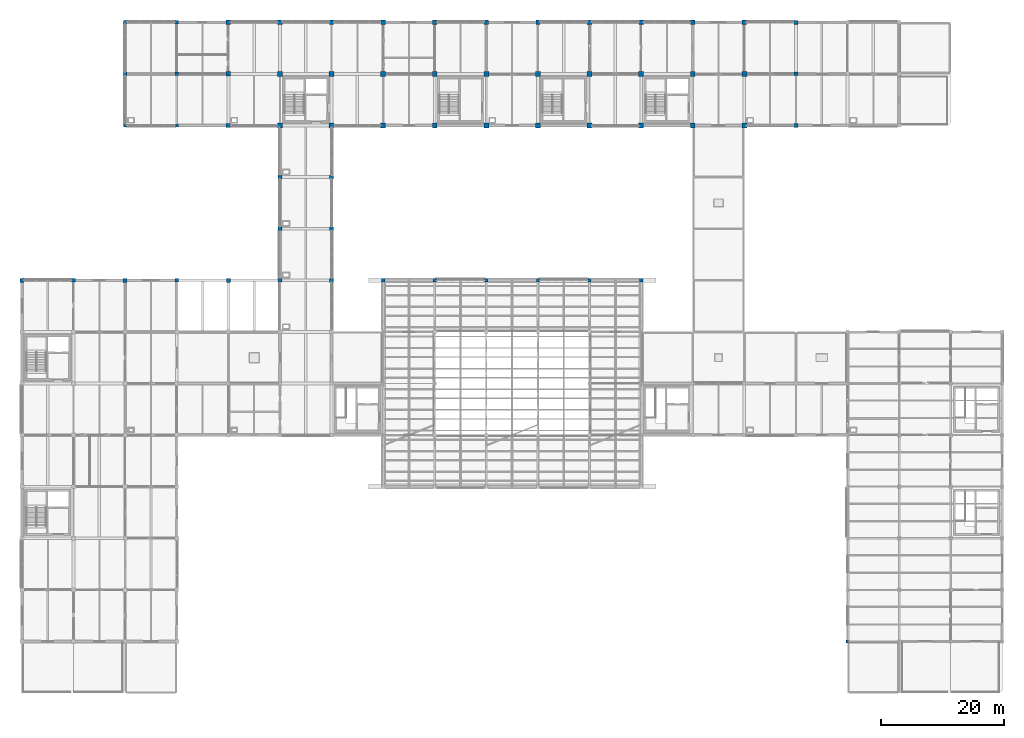
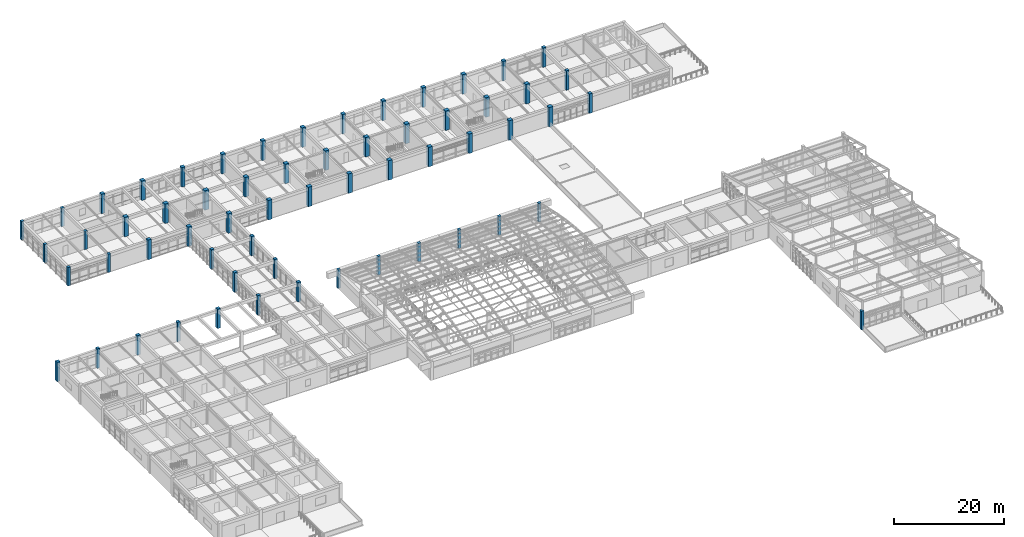
# One storey, part 5 of 74: 60 columns.
"""IFC4 building model written with IfcOpenShell, lengths in metres."""

from ifc_helpers import new_model, si_unit, direction, frame, origin, origin_2d, place, context, subcontext, project, spatial, rectangle, extrude, material, material_profile, profile_set, type_object, element, save


model = new_model("IFC4")

# Units and contexts
model_context = context("Model", 3, precision=1e-05, world=origin(), true_north=direction((0.0, 1.0)))
body_context = subcontext(model_context, "Body", "Model", "MODEL_VIEW")
ifc_project = project(units=[si_unit("LENGTHUNIT", "METRE"), si_unit("AREAUNIT", "SQUARE_METRE"), si_unit("VOLUMEUNIT", "CUBIC_METRE"), si_unit("PLANEANGLEUNIT", "RADIAN"), si_unit("MASSUNIT", "GRAM", prefix="KILO")], contexts=[model_context])

# Site, building, storey
site_placement = place(None, origin())
site = spatial("IfcSite", under=ifc_project, at=site_placement, CompositionType="ELEMENT")
building_placement = place(site_placement, origin())
building = spatial("IfcBuilding", under=site, at=building_placement, Name="Porcellanite Civic Hall", CompositionType="ELEMENT")
storey_placement = place(building_placement, frame((0.0, 0.0, 14.760009765625)))
storey = spatial("IfcBuildingStorey", under=building, at=storey_placement, Name="L03", CompositionType="ELEMENT", Elevation=14.760009765625)

# Columns
ifc_material_1 = material(Name="Concrete N50 (50 MPa)", Category="concrete")
ifc_material_profile_1 = material_profile(ifc_material_1, rectangle(XDim=0.550048828125, YDim=0.550048828125, at=origin_2d()), Name="RC-550x550")
ifc_profile_set_1 = profile_set([ifc_material_profile_1], Name="Concrete N50 (50 MPa)")
column_type_1 = type_object("IfcColumnType", Name="COL-550", PredefinedType="COLUMN", material=ifc_profile_set_1)
for number, where, z_axis, x_axis, name in (
    (1, (25.199951171875, 100.800048828125, 0.0), (0.0, 0.0, 1.0), (1.0, 0.0, 0.0), "Column L03 3-12"),
    (2, (25.199951171875, 109.199951171875, 0.0), (0.0, 0.0, 1.0), (1.0, 0.0, 0.0), "Column L03 3-13"),
    (3, (25.199951171875, 117.60009765625, 0.0), (0.0, 0.0, 1.0), (1.0, 0.0, 0.0), "Column L03 3-14"),
    (4, (33.60009765625, 100.800048828125, 0.0), (0.0, 0.0, 1.0), (1.0, 0.0, 0.0), "Column L03 4-12"),
    (5, (33.60009765625, 109.199951171875, 0.0), (0.0, 0.0, 1.0), (1.0, 0.0, 0.0), "Column L03 4-13"),
    (6, (33.60009765625, 117.60009765625, 0.0), (0.0, 0.0, 1.0), (1.0, 0.0, 0.0), "Column L03 4-14"),
):
    element("IfcColumn", number, at=place(storey_placement, frame(where, z_axis=z_axis, x_axis=x_axis)), inside=storey, type_object=column_type_1, Name=name, PredefinedType="COLUMN", context=body_context, shape_type="SweptSolid", body=[
        extrude(rectangle(XDim=0.550048828125, YDim=0.550048828125, at=origin_2d()), origin(), (0.0, 0.0, 1.0), 4.070068359375),
    ])
for number, where, z_axis, x_axis, name in (
    (7, (67.199951171875, 75.60009765625, 0.0), (0.0, 0.0, 1.0), (1.0, 0.0, 0.0), "Column L03 8-9"),
    (8, (75.60009765625, 75.60009765625, 0.0), (0.0, 0.0, 1.0), (1.0, 0.0, 0.0), "Column L03 9-9"),
    (9, (84.0, 75.60009765625, 0.0), (0.0, 0.0, 1.0), (1.0, 0.0, 0.0), "Column L03 10-9"),
    (10, (92.39990234375, 75.60009765625, 0.0), (0.0, 0.0, 1.0), (1.0, 0.0, 0.0), "Column L03 11-9"),
    (11, (100.800048828125, 75.60009765625, 0.0), (0.0, 0.0, 1.0), (1.0, 0.0, 0.0), "Column L03 12-9"),
    (12, (109.199951171875, 75.60009765625, 0.0), (0.0, 0.0, 1.0), (1.0, 0.0, 0.0), "Column L03 13-9"),
):
    element("IfcColumn", number, at=place(storey_placement, frame(where, z_axis=z_axis, x_axis=x_axis)), inside=storey, type_object=column_type_1, Name=name, PredefinedType="COLUMN", context=body_context, shape_type="SweptSolid", body=[
        extrude(rectangle(XDim=0.550048828125, YDim=0.550048828125, at=origin_2d()), origin(), (0.0, 0.0, 1.0), 4.139892578125),
    ])
column_placement = place(storey_placement, frame((142.800048828125, 16.800048828125, 0.0), z_axis=(0.0, 0.0, 1.0), x_axis=(1.0, 0.0, 0.0)))
element("IfcColumn", 13, at=column_placement, inside=storey, type_object=column_type_1, Name="Column L03 17-2", PredefinedType="COLUMN", context=body_context, shape_type="SweptSolid", body=[
    extrude(rectangle(XDim=0.550048828125, YDim=0.550048828125, at=origin_2d()), origin(), (0.0, 0.0, 1.0), 4.169921875),
])
ifc_material_2 = material(Name="Concrete N50 (50 MPa)", Category="concrete")
ifc_material_profile_2 = material_profile(ifc_material_2, rectangle(XDim=0.60009765625, YDim=0.60009765625, at=origin_2d()), Name="RC-600x600")
ifc_profile_set_2 = profile_set([ifc_material_profile_2], Name="Concrete N50 (50 MPa)")
column_type_2 = type_object("IfcColumnType", Name="COL-600", PredefinedType="COLUMN", material=ifc_profile_set_2)
for number, where, z_axis, x_axis, name in (
    (14, (16.800048828125, 75.60009765625, 0.0), (0.0, 0.0, 1.0), (1.0, 0.0, 0.0), "Column L03 2-9"),
    (15, (33.60009765625, 75.60009765625, 0.0), (0.0, 0.0, 1.0), (1.0, 0.0, 0.0), "Column L03 4-9"),
    (16, (50.39990234375, 75.60009765625, 0.0), (0.0, 0.0, 1.0), (1.0, 0.0, 0.0), "Column L03 6-9"),
    (17, (50.39990234375, 92.39990234375, 0.0), (0.0, 0.0, 1.0), (1.0, 0.0, 0.0), "Column L03 6-11"),
    (18, (58.800048828125, 84.0, 0.0), (0.0, 0.0, 1.0), (1.0, 0.0, 0.0), "Column L03 7-10"),
    (19, (134.39990234375, 109.199951171875, 0.0), (0.0, 0.0, 1.0), (1.0, 0.0, 0.0), "Column L03 16-13"),
):
    element("IfcColumn", number, at=place(storey_placement, frame(where, z_axis=z_axis, x_axis=x_axis)), inside=storey, type_object=column_type_2, Name=name, PredefinedType="COLUMN", context=body_context, shape_type="SweptSolid", body=[
        extrude(rectangle(XDim=0.60009765625, YDim=0.60009765625, at=origin_2d()), origin(), (0.0, 0.0, 1.0), 4.320068359375),
    ])
ifc_material_3 = material(Name="Concrete N50 (50 MPa)", Category="concrete")
ifc_material_profile_3 = material_profile(ifc_material_3, rectangle(XDim=0.64990234375, YDim=0.64990234375, at=origin_2d()), Name="RC-650x650")
ifc_profile_set_3 = profile_set([ifc_material_profile_3], Name="Concrete N50 (50 MPa)")
column_type_3 = type_object("IfcColumnType", Name="COL-650", PredefinedType="COLUMN", material=ifc_profile_set_3)
for number, where, z_axis, x_axis, name in (
    (20, (8.39990234375, 75.60009765625, 0.0), (0.0, 0.0, 1.0), (1.0, 0.0, 0.0), "Column L03 1-9"),
    (21, (25.199951171875, 75.60009765625, 0.0), (0.0, 0.0, 1.0), (1.0, 0.0, 0.0), "Column L03 3-9"),
    (22, (42.0, 75.60009765625, 0.0), (0.0, 0.0, 1.0), (1.0, 0.0, 0.0), "Column L03 5-9"),
    (23, (50.39990234375, 84.0, 0.0), (0.0, 0.0, 1.0), (1.0, 0.0, 0.0), "Column L03 6-10"),
    (24, (58.800048828125, 75.60009765625, 0.0), (0.0, 0.0, 1.0), (1.0, 0.0, 0.0), "Column L03 7-9"),
    (25, (58.800048828125, 92.39990234375, 0.0), (0.0, 0.0, 1.0), (1.0, 0.0, 0.0), "Column L03 7-11"),
    (26, (134.39990234375, 100.800048828125, 0.0), (0.0, 0.0, 1.0), (1.0, 0.0, 0.0), "Column L03 16-12"),
    (27, (134.39990234375, 117.60009765625, 0.0), (0.0, 0.0, 1.0), (1.0, 0.0, 0.0), "Column L03 16-14"),
):
    element("IfcColumn", number, at=place(storey_placement, frame(where, z_axis=z_axis, x_axis=x_axis)), inside=storey, type_object=column_type_3, Name=name, PredefinedType="COLUMN", context=body_context, shape_type="SweptSolid", body=[
        extrude(rectangle(XDim=0.64990234375, YDim=0.64990234375, at=origin_2d()), origin(), (0.0, 0.0, 1.0), 4.320068359375),
    ])
ifc_material_4 = material(Name="Concrete N50 (50 MPa)", Category="concrete")
ifc_material_profile_4 = material_profile(ifc_material_4, rectangle(XDim=0.699951171875, YDim=0.699951171875, at=origin_2d()), Name="RC-700x700")
ifc_profile_set_4 = profile_set([ifc_material_profile_4], Name="Concrete N50 (50 MPa)")
column_type_4 = type_object("IfcColumnType", Name="COL-700", PredefinedType="COLUMN", material=ifc_profile_set_4)
for number, where, z_axis, x_axis, name in (
    (28, (42.0, 100.800048828125, 0.0), (0.0, 0.0, 1.0), (1.0, 0.0, 0.0), "Column L03 5-12"),
    (29, (42.0, 117.60009765625, 0.0), (0.0, 0.0, 1.0), (1.0, 0.0, 0.0), "Column L03 5-14"),
    (30, (58.800048828125, 117.60009765625, 0.0), (0.0, 0.0, 1.0), (1.0, 0.0, 0.0), "Column L03 7-14"),
    (31, (75.60009765625, 117.60009765625, 0.0), (0.0, 0.0, 1.0), (1.0, 0.0, 0.0), "Column L03 9-14"),
    (32, (92.39990234375, 117.60009765625, 0.0), (0.0, 0.0, 1.0), (1.0, 0.0, 0.0), "Column L03 11-14"),
    (33, (109.199951171875, 117.60009765625, 0.0), (0.0, 0.0, 1.0), (1.0, 0.0, 0.0), "Column L03 13-14"),
    (34, (126.0, 117.60009765625, 0.0), (0.0, 0.0, 1.0), (1.0, 0.0, 0.0), "Column L03 15-14"),
):
    element("IfcColumn", number, at=place(storey_placement, frame(where, z_axis=z_axis, x_axis=x_axis)), inside=storey, type_object=column_type_4, Name=name, PredefinedType="COLUMN", context=body_context, shape_type="SweptSolid", body=[
        extrude(rectangle(XDim=0.699951171875, YDim=0.699951171875, at=origin_2d()), origin(), (0.0, 0.0, 1.0), 4.320068359375),
    ])
ifc_material_5 = material(Name="Concrete N50 (50 MPa)", Category="concrete")
ifc_material_profile_5 = material_profile(ifc_material_5, rectangle(XDim=0.75, YDim=0.75, at=origin_2d()), Name="RC-750x750")
ifc_profile_set_5 = profile_set([ifc_material_profile_5], Name="Concrete N50 (50 MPa)")
column_type_5 = type_object("IfcColumnType", Name="COL-750", PredefinedType="COLUMN", material=ifc_profile_set_5)
for number, where, z_axis, x_axis, name in (
    (35, (42.0, 109.199951171875, 0.0), (0.0, 0.0, 1.0), (1.0, 0.0, 0.0), "Column L03 5-13"),
    (36, (50.39990234375, 117.60009765625, 0.0), (0.0, 0.0, 1.0), (1.0, 0.0, 0.0), "Column L03 6-14"),
    (37, (67.199951171875, 117.60009765625, 0.0), (0.0, 0.0, 1.0), (1.0, 0.0, 0.0), "Column L03 8-14"),
    (38, (84.0, 117.60009765625, 0.0), (0.0, 0.0, 1.0), (1.0, 0.0, 0.0), "Column L03 10-14"),
    (39, (100.800048828125, 117.60009765625, 0.0), (0.0, 0.0, 1.0), (1.0, 0.0, 0.0), "Column L03 12-14"),
    (40, (117.60009765625, 117.60009765625, 0.0), (0.0, 0.0, 1.0), (1.0, 0.0, 0.0), "Column L03 14-14"),
):
    element("IfcColumn", number, at=place(storey_placement, frame(where, z_axis=z_axis, x_axis=x_axis)), inside=storey, type_object=column_type_5, Name=name, PredefinedType="COLUMN", context=body_context, shape_type="SweptSolid", body=[
        extrude(rectangle(XDim=0.75, YDim=0.75, at=origin_2d()), origin(), (0.0, 0.0, 1.0), 4.320068359375),
    ])
ifc_material_6 = material(Name="Concrete N50 (50 MPa)", Category="concrete")
ifc_material_profile_6 = material_profile(ifc_material_6, rectangle(XDim=0.800048828125, YDim=0.800048828125, at=origin_2d()), Name="RC-800x800")
ifc_profile_set_6 = profile_set([ifc_material_profile_6], Name="Concrete N50 (50 MPa)")
column_type_6 = type_object("IfcColumnType", Name="COL-800", PredefinedType="COLUMN", material=ifc_profile_set_6)
for number, where, z_axis, x_axis, name in (
    (41, (50.39990234375, 100.800048828125, 0.0), (0.0, 0.0, 1.0), (1.0, 0.0, 0.0), "Column L03 6-12"),
    (42, (50.39990234375, 109.199951171875, 0.0), (0.0, 0.0, 1.0), (1.0, 0.0, 0.0), "Column L03 6-13"),
    (43, (58.800048828125, 100.800048828125, 0.0), (0.0, 0.0, 1.0), (1.0, 0.0, 0.0), "Column L03 7-12"),
    (44, (58.800048828125, 109.199951171875, 0.0), (0.0, 0.0, 1.0), (1.0, 0.0, 0.0), "Column L03 7-13"),
    (45, (67.199951171875, 100.800048828125, 0.0), (0.0, 0.0, 1.0), (1.0, 0.0, 0.0), "Column L03 8-12"),
    (46, (67.199951171875, 109.199951171875, 0.0), (0.0, 0.0, 1.0), (1.0, 0.0, 0.0), "Column L03 8-13"),
    (47, (75.60009765625, 100.800048828125, 0.0), (0.0, 0.0, 1.0), (1.0, 0.0, 0.0), "Column L03 9-12"),
    (48, (75.60009765625, 109.199951171875, 0.0), (0.0, 0.0, 1.0), (1.0, 0.0, 0.0), "Column L03 9-13"),
    (49, (84.0, 100.800048828125, 0.0), (0.0, 0.0, 1.0), (1.0, 0.0, 0.0), "Column L03 10-12"),
    (50, (84.0, 109.199951171875, 0.0), (0.0, 0.0, 1.0), (1.0, 0.0, 0.0), "Column L03 10-13"),
    (51, (92.39990234375, 100.800048828125, 0.0), (0.0, 0.0, 1.0), (1.0, 0.0, 0.0), "Column L03 11-12"),
    (52, (92.39990234375, 109.199951171875, 0.0), (0.0, 0.0, 1.0), (1.0, 0.0, 0.0), "Column L03 11-13"),
    (53, (100.800048828125, 100.800048828125, 0.0), (0.0, 0.0, 1.0), (1.0, 0.0, 0.0), "Column L03 12-12"),
    (54, (100.800048828125, 109.199951171875, 0.0), (0.0, 0.0, 1.0), (1.0, 0.0, 0.0), "Column L03 12-13"),
    (55, (109.199951171875, 100.800048828125, 0.0), (0.0, 0.0, 1.0), (1.0, 0.0, 0.0), "Column L03 13-12"),
    (56, (109.199951171875, 109.199951171875, 0.0), (0.0, 0.0, 1.0), (1.0, 0.0, 0.0), "Column L03 13-13"),
    (57, (117.60009765625, 100.800048828125, 0.0), (0.0, 0.0, 1.0), (1.0, 0.0, 0.0), "Column L03 14-12"),
    (58, (117.60009765625, 109.199951171875, 0.0), (0.0, 0.0, 1.0), (1.0, 0.0, 0.0), "Column L03 14-13"),
    (59, (126.0, 100.800048828125, 0.0), (0.0, 0.0, 1.0), (1.0, 0.0, 0.0), "Column L03 15-12"),
    (60, (126.0, 109.199951171875, 0.0), (0.0, 0.0, 1.0), (1.0, 0.0, 0.0), "Column L03 15-13"),
):
    element("IfcColumn", number, at=place(storey_placement, frame(where, z_axis=z_axis, x_axis=x_axis)), inside=storey, type_object=column_type_6, Name=name, PredefinedType="COLUMN", context=body_context, shape_type="SweptSolid", body=[
        extrude(rectangle(XDim=0.800048828125, YDim=0.800048828125, at=origin_2d()), origin(), (0.0, 0.0, 1.0), 4.320068359375),
    ])

save(model, "model.ifc")
